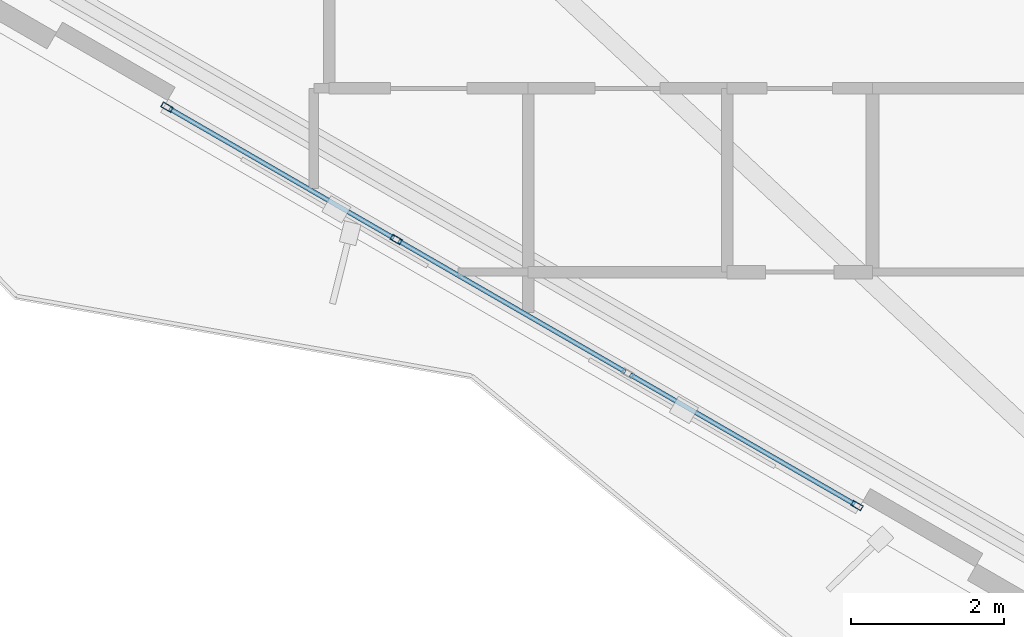
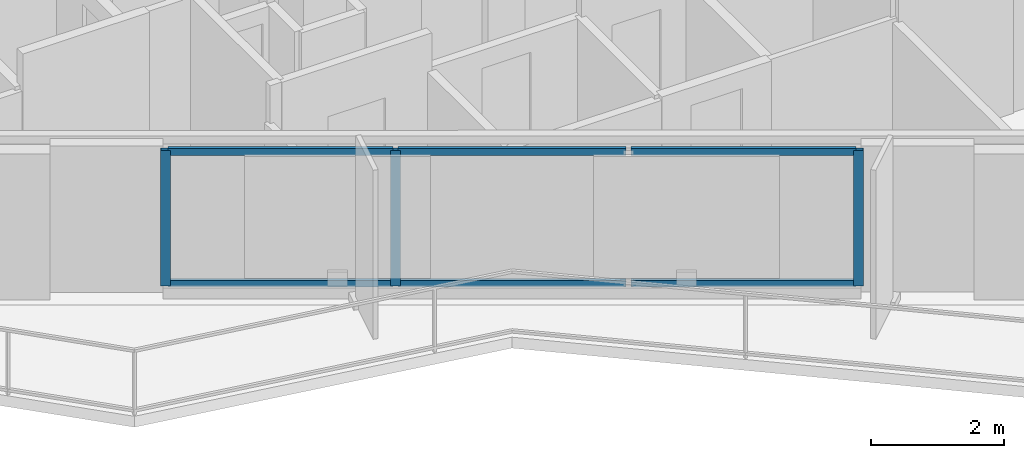
# One storey, part 2 of 19: 9 members, 1 element without a shape of its own.
"""IFC4 building model written with IfcOpenShell, lengths in metres."""

import ifcopenshell
import ifcopenshell.guid

model = None  # the IFC model being written
_history = None  # IfcOwnerHistory: only IFC2X3 demands one
_inside = {}  # id of a spatial element -> (the spatial element, [elements in it])
_under = {}  # id of a project, library or spatial element -> (it, [spatial elements below it])
_declared = {}  # id of a project -> (the project, [libraries it declares])
_typed = {}  # id of a type object -> (the type object, [elements of that type])
_made_of = {}  # id of a material, layer set ... -> (it, [elements and type objects made of it])


def new_model(schema):
    """Start an empty IFC model of exactly this schema.

    Asked for "IFC4X3", IfcOpenShell would pick the latest addendum, in which some entities
    have other attributes; the version numbers below select the first issue.
    IFC2X3 requires an IfcOwnerHistory on every rooted entity: one is made here for all.
    """
    global model, _history
    if schema == "IFC4X3":
        model = ifcopenshell.file(schema_version=(4, 3, 0, 0))
    else:
        model = ifcopenshell.file(schema=schema)
    _inside.clear()
    _under.clear()
    _declared.clear()
    _typed.clear()
    _made_of.clear()
    _history = None
    if model.schema == "IFC2X3":
        org = make("IfcOrganization", Name="unknown")
        user = make(
            "IfcPersonAndOrganization",
            ThePerson=make("IfcPerson", FamilyName="unknown"),
            TheOrganization=org,
        )
        app = make(
            "IfcApplication",
            ApplicationDeveloper=org,
            Version="unknown",
            ApplicationFullName="unknown",
            ApplicationIdentifier="unknown",
        )
        _history = make(
            "IfcOwnerHistory",
            OwningUser=user,
            OwningApplication=app,
            ChangeAction="ADDED",
            CreationDate=0,
        )
    return model


def make(cls, **values):
    """One entity of the class cls with the attributes given. An attribute that is None is left unset."""
    return model.create_entity(
        cls, **{name: value for name, value in values.items() if value is not None}
    )


def rooted(cls, **values):
    """An entity with a GlobalId (a new one), such as an element, a storey or a relation."""
    return make(cls, GlobalId=ifcopenshell.guid.new(), OwnerHistory=_history, **values)


def si_unit(unit_type, name, prefix=None):
    """IfcSIUnit, for example si_unit("LENGTHUNIT", "METRE", prefix="MILLI")."""
    return make("IfcSIUnit", UnitType=unit_type, Prefix=prefix, Name=name)


def assignment(units):
    """IfcUnitAssignment: the units of a project."""
    return None if units is None else make("IfcUnitAssignment", Units=units)


def point(xyz):
    """IfcCartesianPoint."""
    return None if xyz is None else make("IfcCartesianPoint", Coordinates=xyz)


def direction(xyz):
    """IfcDirection."""
    return None if xyz is None else make("IfcDirection", DirectionRatios=xyz)


def frame(location, z_axis=None, x_axis=None):
    """IfcAxis2Placement3D, a coordinate frame: its origin and axes. An axis left out is left unset."""
    return make(
        "IfcAxis2Placement3D",
        Location=point(location),
        Axis=direction(z_axis),
        RefDirection=direction(x_axis),
    )


def frame_2d(location, x_axis=None):
    """IfcAxis2Placement2D, a coordinate frame in the plane: its origin and x axis."""
    return make(
        "IfcAxis2Placement2D", Location=point(location), RefDirection=direction(x_axis)
    )


def origin():
    """The frame at (0, 0, 0) with its axes left unset."""
    return frame((0.0, 0.0, 0.0))


def origin_2d():
    """The frame at (0, 0) in the plane with its x axis left unset."""
    return frame_2d((0.0, 0.0))


def place(relative_to, where):
    """IfcLocalPlacement: puts the frame where relative to a parent placement (None: the world)."""
    return make(
        "IfcLocalPlacement", PlacementRelTo=relative_to, RelativePlacement=where
    )


def context(
    kind, dimensions, precision=None, world=None, true_north=None, identifier=None
):
    """IfcGeometricRepresentationContext, for example the 3D "Model" context."""
    return make(
        "IfcGeometricRepresentationContext",
        ContextIdentifier=identifier,
        ContextType=kind,
        CoordinateSpaceDimension=dimensions,
        Precision=precision,
        WorldCoordinateSystem=world,
        TrueNorth=true_north,
    )


def subcontext(parent, identifier, kind, view, scale=None):
    """IfcGeometricRepresentationSubContext, for example "Body" below "Model"."""
    return make(
        "IfcGeometricRepresentationSubContext",
        ContextIdentifier=identifier,
        ContextType=kind,
        ParentContext=parent,
        TargetScale=scale,
        TargetView=view,
    )


def project(units=None, contexts=None):
    """IfcProject with its units and contexts."""
    return rooted(
        "IfcProject",
        Name="project",
        RepresentationContexts=contexts,
        UnitsInContext=assignment(units),
    )


def spatial(cls, under=None, at=None, **own):
    """A site, building, storey or space (cls), placed at a placement, below another one or the project."""
    s = rooted(cls, ObjectPlacement=at, **own)
    if under is not None:
        _under.setdefault(under.id(), (under, []))[1].append(s)
    return s


def profile(cls, at=None, kind="AREA", **sizes):
    """A parametric profile (cls). Its sizes go by their IFC names, for example OverallWidth=200.0."""
    return make(cls, ProfileType=kind, Position=at, **sizes)


def hollow_rectangle(**sizes):
    """IfcRectangleHollowProfileDef."""
    return profile("IfcRectangleHollowProfileDef", **sizes)


def extrude(swept, where, along, depth):
    """IfcExtrudedAreaSolid: the profile swept, set in the frame where, extruded along a direction by depth."""
    return make(
        "IfcExtrudedAreaSolid",
        SweptArea=swept,
        Position=where,
        ExtrudedDirection=direction(along),
        Depth=depth,
    )


def shape(context_of_items, identifier, shape_type, items):
    """IfcShapeRepresentation: the items that make up one representation, for example the "Body"."""
    return make(
        "IfcShapeRepresentation",
        ContextOfItems=context_of_items,
        RepresentationIdentifier=identifier,
        RepresentationType=shape_type,
        Items=items,
    )


def material(Name=None, Category=None):
    """IfcMaterial."""
    return make("IfcMaterial", Name=Name, Category=Category)


def layer(
    of_material, thickness, ventilated=None, Name=None, Category=None, Priority=None
):
    """IfcMaterialLayer: one layer of a wall or slab, of a material (None: an air gap)."""
    return make(
        "IfcMaterialLayer",
        Material=of_material,
        LayerThickness=thickness,
        IsVentilated=ventilated,
        Name=Name,
        Category=Category,
        Priority=Priority,
    )


def layer_set(layers, Name=None):
    """IfcMaterialLayerSet."""
    return make("IfcMaterialLayerSet", MaterialLayers=layers, LayerSetName=Name)


def material_profile(
    of_material, cross_section, Name=None, Category=None, Priority=None
):
    """IfcMaterialProfile: a cross section and its material."""
    return make(
        "IfcMaterialProfile",
        Name=Name,
        Material=of_material,
        Profile=cross_section,
        Priority=Priority,
        Category=Category,
    )


def profile_set(profiles, Name=None, composite=None):
    """IfcMaterialProfileSet."""
    return make(
        "IfcMaterialProfileSet",
        Name=Name,
        MaterialProfiles=profiles,
        CompositeProfile=composite,
    )


def made_of(thing, what):
    """Note that an element or type object is made of a material, layer set ...; save() writes the relation."""
    if what is not None:
        _made_of.setdefault(what.id(), (what, []))[1].append(thing)
    return thing


def type_object(cls, material=None, **own):
    """A type object (cls), such as IfcWallType, which elements share."""
    return made_of(rooted(cls, **own), material)


def element(
    cls,
    number,
    at=None,
    inside=None,
    cuts=None,
    type_object=None,
    material=None,
    context=None,
    identifier="Body",
    shape_type=None,
    held_by="IfcProductDefinitionShape",
    body=None,
    shapes=None,
    **own,
):
    """One element of the class cls, such as IfcWall. Its Tag is "e" and its number.

    at: its placement. inside: the storey or other place that contains it. cuts: it is an
    opening in that element (IfcRelVoidsElement). A single representation is given by context,
    identifier, shape_type and body (its items); several are given by shapes. held_by: the class
    of the entity that holds the representations. save() writes the other relations.
    """
    e = rooted(cls, Tag="e%d" % number, ObjectPlacement=at, **own)
    if body is not None:
        shapes = [shape(context, identifier, shape_type, body)]
    if shapes is not None:
        e.Representation = make(held_by, Representations=shapes)
    if inside is not None:
        _inside.setdefault(inside.id(), (inside, []))[1].append(e)
    if cuts is not None:
        rooted(
            "IfcRelVoidsElement", RelatingBuildingElement=cuts, RelatedOpeningElement=e
        )
    if type_object is not None:
        _typed.setdefault(type_object.id(), (type_object, []))[1].append(e)
    return made_of(e, material)


def aggregate(whole, parts):
    """IfcRelAggregates: a whole, such as a stair, and the parts it consists of."""
    return rooted("IfcRelAggregates", RelatingObject=whole, RelatedObjects=parts)


def save(model, path):
    """Write the relations noted so far, then the file.

    IfcRelAggregates (storeys below a building ...), IfcRelContainedInSpatialStructure (elements
    in a storey), IfcRelDefinesByType, IfcRelAssociatesMaterial and IfcRelDeclares: one each for
    every whole, place, type object, material and project.
    """
    for whole, parts in _under.values():
        aggregate(whole, parts)
    for where, things in _inside.values():
        rooted(
            "IfcRelContainedInSpatialStructure",
            RelatedElements=things,
            RelatingStructure=where,
        )
    for kind, things in _typed.values():
        rooted("IfcRelDefinesByType", RelatedObjects=things, RelatingType=kind)
    for what, things in _made_of.values():
        rooted("IfcRelAssociatesMaterial", RelatedObjects=things, RelatingMaterial=what)
    for by, libraries in _declared.values():
        rooted("IfcRelDeclares", RelatingContext=by, RelatedDefinitions=libraries)
    model.write(path)


model = new_model("IFC4")

# Units and contexts
model_context = context("Model", 3, precision=1e-05, world=origin(), true_north=direction((0.0, 1.0)))
body_context = subcontext(model_context, "Body", "Model", "MODEL_VIEW")
ifc_project = project(units=[si_unit("LENGTHUNIT", "METRE"), si_unit("AREAUNIT", "SQUARE_METRE"), si_unit("VOLUMEUNIT", "CUBIC_METRE"), si_unit("PLANEANGLEUNIT", "RADIAN"), si_unit("MASSUNIT", "GRAM", prefix="KILO")], contexts=[model_context])

# Site, building, storey
site_placement = place(None, origin())
site = spatial("IfcSite", under=ifc_project, at=site_placement, CompositionType="ELEMENT")
building_placement = place(site_placement, origin())
building = spatial("IfcBuilding", under=site, at=building_placement, Name="Mersakhor Tower and Convention Hall", CompositionType="ELEMENT")
storey_placement = place(building_placement, frame((0.0, 0.0, 147.60009765625)))
storey = spatial("IfcBuildingStorey", under=building, at=storey_placement, Name="L41", CompositionType="ELEMENT", Elevation=147.60009765625)

# Curtain wall, members
ifc_material_1 = material(Name="Dark solar low-E aluminium curtain wall", Category="aluminium")
ifc_layer = layer(ifc_material_1, 0.169921875)
ifc_layer_set = layer_set([ifc_layer], Name="Dark solar low-E aluminium curtain wall")
curtain_wall_type = type_object("IfcCurtainWallType", Name="CW-SYS-02", PredefinedType="USERDEFINED", material=ifc_layer_set)
curtain_wall_placement = place(storey_placement, origin())
curtain_wall = element("IfcCurtainWall", 1, at=curtain_wall_placement, inside=storey, type_object=curtain_wall_type, Name="L41 Dark-Glass Curtain Wall F3-B2", ObjectType="CURTAIN WALL", PredefinedType="USERDEFINED")
ifc_material_2 = material(Name="Anodised aluminium EN AW-6063 T6", Category="aluminium")
ifc_material_profile_1 = material_profile(ifc_material_2, hollow_rectangle(XDim=0.074951171875, YDim=0.14990234375, WallThickness=0.00634765625, at=origin_2d()), Name="RHS 150x75x6.3")
ifc_profile_set_1 = profile_set([ifc_material_profile_1], Name="Anodised aluminium EN AW-6063 T6")
member_type_1 = type_object("IfcMemberType", Name="CWM-150x75", PredefinedType="MULLION", material=ifc_profile_set_1)
member_1_placement = place(storey_placement, frame((26.8984375, 12.69921875, 0.199951171875), z_axis=(0.0, 0.0, 1.0), x_axis=(-0.499990468363, -0.866030906807, 0.0)))
member_1 = element("IfcMember", 2, at=member_1_placement, type_object=member_type_1, Name="CW-02 mullion 1", PredefinedType="MULLION", context=body_context, shape_type="SweptSolid", body=[
    extrude(hollow_rectangle(XDim=0.074951171875, YDim=0.14990234375, WallThickness=0.00634765625, at=origin_2d()), origin(), (0.0, 0.0, 1.0), 2.47998046875),
])
member_2_placement = place(storey_placement, frame((20.876953125, 16.17578125, 0.199951171875), z_axis=(0.0, 0.0, 1.0), x_axis=(-0.499990468363, -0.866030906807, 0.0)))
member_2 = element("IfcMember", 3, at=member_2_placement, type_object=member_type_1, Name="CW-02 mullion 3", PredefinedType="MULLION", context=body_context, shape_type="SweptSolid", body=[
    extrude(hollow_rectangle(XDim=0.074951171875, YDim=0.14990234375, WallThickness=0.00634765625, at=origin_2d()), origin(), (0.0, 0.0, 1.0), 2.47998046875),
])
member_3_placement = place(storey_placement, frame((17.88232421875, 17.904541015625, 0.199951171875), z_axis=(0.0, 0.0, 1.0), x_axis=(-0.499990468363, -0.866030906807, 0.0)))
member_3 = element("IfcMember", 4, at=member_3_placement, type_object=member_type_1, Name="CW-02 mullion 4", PredefinedType="MULLION", context=body_context, shape_type="SweptSolid", body=[
    extrude(hollow_rectangle(XDim=0.074951171875, YDim=0.14990234375, WallThickness=0.00634765625, at=origin_2d()), origin(), (0.0, 0.0, 1.0), 2.47998046875),
])
ifc_material_3 = material(Name="Anodised aluminium EN AW-6063 T6", Category="aluminium")
ifc_material_profile_2 = material_profile(ifc_material_3, hollow_rectangle(XDim=0.06005859375, YDim=0.1201171875, WallThickness=0.0048828125, at=origin_2d()), Name="RHS 120x60x5")
ifc_profile_set_2 = profile_set([ifc_material_profile_2], Name="Anodised aluminium EN AW-6063 T6")
member_type_2 = type_object("IfcMemberType", Name="CWT-120x60", PredefinedType="USERDEFINED", material=ifc_profile_set_2)
member_4_placement = place(storey_placement, frame((26.865966796875, 12.718017578125, 0.22998046875), z_axis=(-0.866044963944, 0.49996611928, 0.0), x_axis=(-0.49996611928, -0.866044963944, 0.0)))
member_4 = element("IfcMember", 5, at=member_4_placement, type_object=member_type_2, Name="CW-02 transom 1.1", ObjectType="TRANSOM", PredefinedType="USERDEFINED", context=body_context, shape_type="SweptSolid", body=[
    extrude(hollow_rectangle(XDim=0.06005859375, YDim=0.1201171875, WallThickness=0.0048828125, at=origin_2d()), origin(), (0.0, 0.0, 1.0), 3.382568359375),
])
member_5_placement = place(storey_placement, frame((26.865966796875, 12.718017578125, 2.64990234375), z_axis=(-0.866044963944, 0.49996611928, 0.0), x_axis=(-0.49996611928, -0.866044963944, 0.0)))
member_5 = element("IfcMember", 6, at=member_5_placement, type_object=member_type_2, Name="CW-02 transom 1.2", ObjectType="TRANSOM", PredefinedType="USERDEFINED", context=body_context, shape_type="SweptSolid", body=[
    extrude(hollow_rectangle(XDim=0.06005859375, YDim=0.1201171875, WallThickness=0.0048828125, at=origin_2d()), origin(), (0.0, 0.0, 1.0), 3.382568359375),
])
member_6_placement = place(storey_placement, frame((23.871337890625, 14.44677734375, 0.22998046875), z_axis=(-0.866007273829, 0.50003140069, 0.0), x_axis=(-0.50003140069, -0.866007273829, 0.0)))
member_6 = element("IfcMember", 7, at=member_6_placement, type_object=member_type_2, Name="CW-02 transom 2.1", ObjectType="TRANSOM", PredefinedType="USERDEFINED", context=body_context, shape_type="SweptSolid", body=[
    extrude(hollow_rectangle(XDim=0.06005859375, YDim=0.1201171875, WallThickness=0.0048828125, at=origin_2d()), origin(), (0.0, 0.0, 1.0), 3.420166015625),
])
member_7_placement = place(storey_placement, frame((23.871337890625, 14.44677734375, 2.64990234375), z_axis=(-0.866007273829, 0.50003140069, 0.0), x_axis=(-0.50003140069, -0.866007273829, 0.0)))
member_7 = element("IfcMember", 8, at=member_7_placement, type_object=member_type_2, Name="CW-02 transom 2.2", ObjectType="TRANSOM", PredefinedType="USERDEFINED", context=body_context, shape_type="SweptSolid", body=[
    extrude(hollow_rectangle(XDim=0.06005859375, YDim=0.1201171875, WallThickness=0.0048828125, at=origin_2d()), origin(), (0.0, 0.0, 1.0), 3.420166015625),
])
member_8_placement = place(storey_placement, frame((20.844482421875, 16.1943359375, 0.22998046875), z_axis=(-0.866031754707, 0.499988999718, 0.0), x_axis=(-0.499988999718, -0.866031754707, 0.0)))
member_8 = element("IfcMember", 9, at=member_8_placement, type_object=member_type_2, Name="CW-02 transom 3.1", ObjectType="TRANSOM", PredefinedType="USERDEFINED", context=body_context, shape_type="SweptSolid", body=[
    extrude(hollow_rectangle(XDim=0.06005859375, YDim=0.1201171875, WallThickness=0.0048828125, at=origin_2d()), origin(), (0.0, 0.0, 1.0), 3.3828125),
])
member_9_placement = place(storey_placement, frame((20.844482421875, 16.1943359375, 2.64990234375), z_axis=(-0.866031754707, 0.499988999718, 0.0), x_axis=(-0.499988999718, -0.866031754707, 0.0)))
member_9 = element("IfcMember", 10, at=member_9_placement, type_object=member_type_2, Name="CW-02 transom 3.2", ObjectType="TRANSOM", PredefinedType="USERDEFINED", context=body_context, shape_type="SweptSolid", body=[
    extrude(hollow_rectangle(XDim=0.06005859375, YDim=0.1201171875, WallThickness=0.0048828125, at=origin_2d()), origin(), (0.0, 0.0, 1.0), 3.3828125),
])
aggregate(curtain_wall, [member_1, member_2, member_3, member_4, member_5, member_6, member_7, member_8, member_9])

save(model, "model.ifc")
